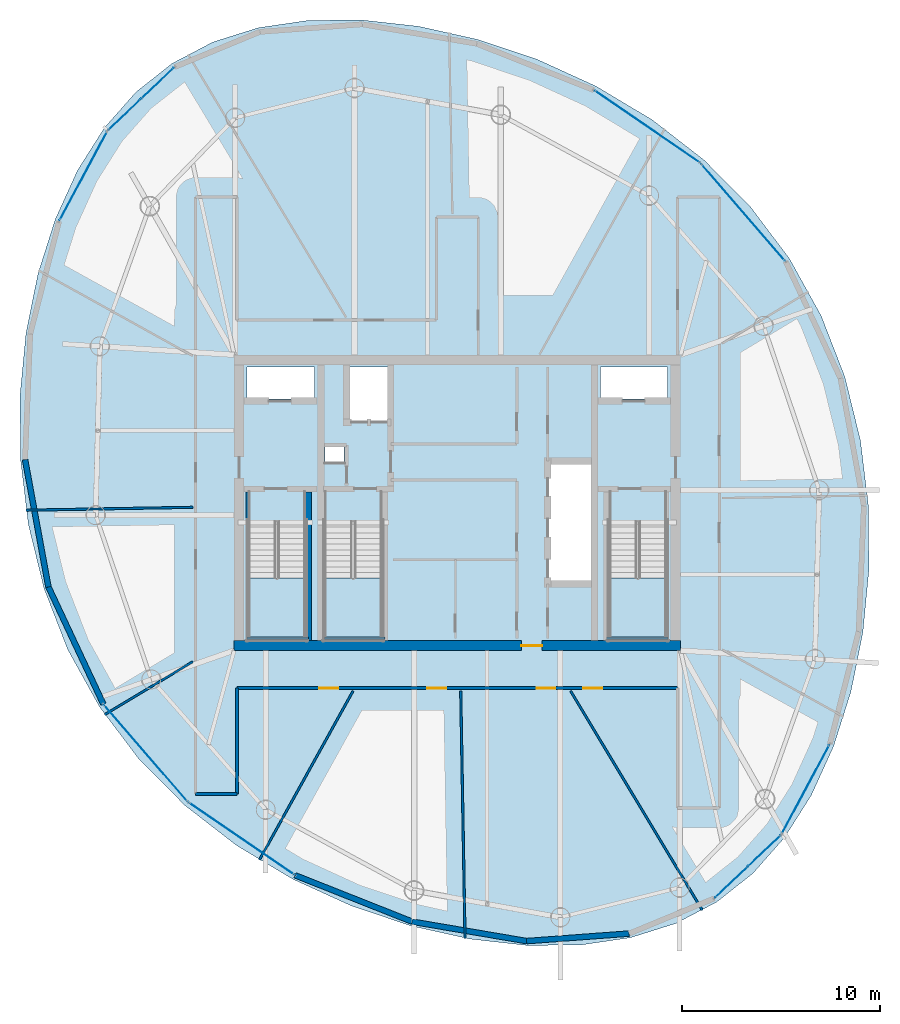
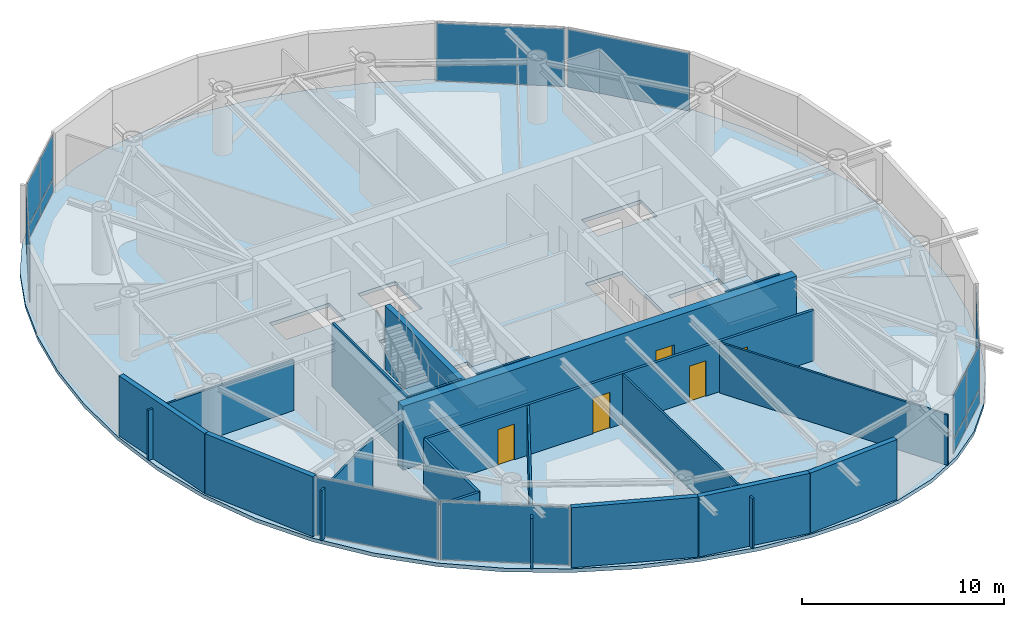
# One storey, part 10 of 16: 19 walls, 14 plates, 5 doors, 4 slabs, 5 openings, 11 elements without a shape of their own.
"""IFC4 building model written with IfcOpenShell, lengths in metres."""

from ifc_helpers import new_model, si_unit, direction, frame, frame_2d, origin, origin_2d, place, context, subcontext, project, spatial, polyline, rectangle, outline, extrude, material, layer, layer_set, type_object, element, fill, aggregate, save


model = new_model("IFC4")

# Units and contexts
model_context = context("Model", 3, precision=1e-05, world=origin(), true_north=direction((0.0, 1.0)))
body_context = subcontext(model_context, "Body", "Model", "MODEL_VIEW")
ifc_project = project(units=[si_unit("LENGTHUNIT", "METRE"), si_unit("AREAUNIT", "SQUARE_METRE"), si_unit("VOLUMEUNIT", "CUBIC_METRE"), si_unit("PLANEANGLEUNIT", "RADIAN"), si_unit("MASSUNIT", "GRAM", prefix="KILO")], contexts=[model_context])

# Site, building, storey
site_placement = place(None, origin())
site = spatial("IfcSite", under=ifc_project, at=site_placement, CompositionType="ELEMENT")
building_placement = place(site_placement, origin())
building = spatial("IfcBuilding", under=site, at=building_placement, Name="Bramvorn Convention Spire", CompositionType="ELEMENT")
storey_placement = place(building_placement, frame((0.0, 0.0, 261.300048828125)))
storey = spatial("IfcBuildingStorey", under=building, at=storey_placement, Name="L66", CompositionType="ELEMENT", Elevation=261.300048828125)

# Curtain wall, plates
ifc_material_1 = material(Name="Anodised Bronze Unitised Curtain Wall", Category="aluminium")
ifc_layer_1 = layer(ifc_material_1, 0.179931640625)
ifc_layer_set_1 = layer_set([ifc_layer_1], Name="Anodised Bronze Unitised Curtain Wall - CW-OFF-FRIT")
curtain_wall_type = type_object("IfcCurtainWallType", Name="CW-OFF-FRIT", PredefinedType="USERDEFINED", material=ifc_layer_set_1)
curtain_wall_1_placement = place(storey_placement, origin())
curtain_wall_1 = element("IfcCurtainWall", 1, at=curtain_wall_1_placement, inside=storey, type_object=curtain_wall_type, Name="L66 fritted glass curtain wall 01", ObjectType="UNITISED CURTAIN WALL", PredefinedType="USERDEFINED")
ifc_material_2 = material(Name="Laminated Low-E Glass (Triple IGU High-VLT Low-Iron 22%)", Category="glass")
ifc_layer_2 = layer(ifc_material_2, 0.0419921875)
ifc_layer_set_2 = layer_set([ifc_layer_2], Name="Laminated Low-E Glass (Triple IGU High-VLT Low-Iron 22%) - PNL-IGU-4")
plate_type = type_object("IfcPlateType", Name="PNL-IGU-4", PredefinedType="CURTAIN_PANEL", material=ifc_layer_set_2)
plate_1_placement = place(storey_placement, frame((53.46875, 8.448974609375, 0.059814453125), z_axis=(0.0, 0.0, 1.0), x_axis=(-0.72482278531, -0.688935359736, 0.0)))
plate_1 = element("IfcPlate", 2, at=plate_1_placement, type_object=plate_type, Name="CW3 panel 1.1", PredefinedType="CURTAIN_PANEL", context=body_context, shape_type="SweptSolid", body=[
    extrude(rectangle(XDim=2.2353515625, YDim=0.028076171875, at=origin_2d()), origin(), (0.0, 0.0, 1.0), 0.81005859375),
])
plate_2_placement = place(storey_placement, frame((53.46875, 8.448974609375, 0.93017578125), z_axis=(0.0, 0.0, 1.0), x_axis=(-0.72482278531, -0.688935359736, 0.0)))
plate_2 = element("IfcPlate", 3, at=plate_2_placement, type_object=plate_type, Name="CW3 panel 1.2", PredefinedType="CURTAIN_PANEL", context=body_context, shape_type="SweptSolid", body=[
    extrude(rectangle(XDim=2.2353515625, YDim=0.028076171875, at=origin_2d()), origin(), (0.0, 0.0, 1.0), 2.635009765625),
])
plate_3_placement = place(storey_placement, frame((51.80517578125, 6.86767578125, 0.059814453125), z_axis=(0.0, 0.0, 1.0), x_axis=(-0.72482278531, -0.688935359736, 0.0)))
plate_3 = element("IfcPlate", 4, at=plate_3_placement, type_object=plate_type, Name="CW3 panel 2.1", PredefinedType="CURTAIN_PANEL", context=body_context, shape_type="SweptSolid", body=[
    extrude(rectangle(XDim=2.2353515625, YDim=0.028076171875, at=origin_2d()), origin(), (0.0, 0.0, 1.0), 0.81005859375),
])
plate_4_placement = place(storey_placement, frame((51.80517578125, 6.86767578125, 0.93017578125), z_axis=(0.0, 0.0, 1.0), x_axis=(-0.72482278531, -0.688935359736, 0.0)))
plate_4 = element("IfcPlate", 5, at=plate_4_placement, type_object=plate_type, Name="CW3 panel 2.2", PredefinedType="CURTAIN_PANEL", context=body_context, shape_type="SweptSolid", body=[
    extrude(rectangle(XDim=2.2353515625, YDim=0.028076171875, at=origin_2d()), origin(), (0.0, 0.0, 1.0), 2.635009765625),
])
aggregate(curtain_wall_1, [plate_1, plate_2, plate_3, plate_4])

# Curtain wall, plate
curtain_wall_2_placement = place(storey_placement, origin())
curtain_wall_2 = element("IfcCurtainWall", 6, at=curtain_wall_2_placement, inside=storey, type_object=curtain_wall_type, Name="L66 fritted glass curtain wall 02", ObjectType="UNITISED CURTAIN WALL", PredefinedType="USERDEFINED")
plate_5_placement = place(storey_placement, frame((55.5458984375, 11.542724609375, 0.06005859375), z_axis=(0.0, 0.0, 1.0), x_axis=(-0.472465183449, -0.88134933507, 0.0)))
plate_5 = element("IfcPlate", 7, at=plate_5_placement, type_object=plate_type, Name="CW3 panel 1.1", PredefinedType="CURTAIN_PANEL", context=body_context, shape_type="SweptSolid", body=[
    extrude(rectangle(XDim=5.059326171875, YDim=0.028076171875, at=origin_2d()), origin(), (0.0, 0.0, 1.0), 3.5048828125),
])
aggregate(curtain_wall_2, [plate_5])

curtain_wall_3_placement = place(storey_placement, origin())
curtain_wall_3 = element("IfcCurtainWall", 8, at=curtain_wall_3_placement, inside=storey, type_object=curtain_wall_type, Name="L66 fritted glass curtain wall 07", ObjectType="UNITISED CURTAIN WALL", PredefinedType="USERDEFINED")
plate_6_placement = place(storey_placement, frame((52.40185546875, 40.637939453125, 0.06005859375), z_axis=(0.0, 0.0, 1.0), x_axis=(0.654483042288, -0.756076680871, 0.0)))
plate_6 = element("IfcPlate", 9, at=plate_6_placement, type_object=plate_type, Name="CW3 panel 1.1", PredefinedType="CURTAIN_PANEL", context=body_context, shape_type="SweptSolid", body=[
    extrude(rectangle(XDim=6.406982421875, YDim=0.028076171875, at=origin_2d()), origin(), (0.0, 0.0, 1.0), 3.5048828125),
])
aggregate(curtain_wall_3, [plate_6])

curtain_wall_4_placement = place(storey_placement, origin())
curtain_wall_4 = element("IfcCurtainWall", 10, at=curtain_wall_4_placement, inside=storey, type_object=curtain_wall_type, Name="L66 fritted glass curtain wall 08", ObjectType="UNITISED CURTAIN WALL", PredefinedType="USERDEFINED")
plate_7_placement = place(storey_placement, frame((47.5732421875, 44.94873046875, 0.06005859375), z_axis=(0.0, 0.0, 1.0), x_axis=(0.825191482707, -0.564853093174, 0.0)))
plate_7 = element("IfcPlate", 11, at=plate_7_placement, type_object=plate_type, Name="CW3 panel 1.1", PredefinedType="CURTAIN_PANEL", context=body_context, shape_type="SweptSolid", body=[
    extrude(rectangle(XDim=6.406005859375, YDim=0.028076171875, at=origin_2d()), origin(), (0.0, 0.0, 1.0), 3.5048828125),
])
aggregate(curtain_wall_4, [plate_7])

# Curtain wall, plates
curtain_wall_5_placement = place(storey_placement, origin())
curtain_wall_5 = element("IfcCurtainWall", 12, at=curtain_wall_5_placement, inside=storey, type_object=curtain_wall_type, Name="L66 fritted glass curtain wall 13", ObjectType="UNITISED CURTAIN WALL", PredefinedType="USERDEFINED")
plate_8_placement = place(storey_placement, frame((21.22412109375, 45.563720703125, 0.059814453125), z_axis=(0.0, 0.0, 1.0), x_axis=(0.72482278531, 0.688935359736, 0.0)))
plate_8 = element("IfcPlate", 13, at=plate_8_placement, type_object=plate_type, Name="CW3 panel 1.1", PredefinedType="CURTAIN_PANEL", context=body_context, shape_type="SweptSolid", body=[
    extrude(rectangle(XDim=2.2353515625, YDim=0.028076171875, at=origin_2d()), origin(), (0.0, 0.0, 1.0), 0.81005859375),
])
plate_9_placement = place(storey_placement, frame((21.22412109375, 45.563720703125, 0.93017578125), z_axis=(0.0, 0.0, 1.0), x_axis=(0.72482278531, 0.688935359736, 0.0)))
plate_9 = element("IfcPlate", 14, at=plate_9_placement, type_object=plate_type, Name="CW3 panel 1.2", PredefinedType="CURTAIN_PANEL", context=body_context, shape_type="SweptSolid", body=[
    extrude(rectangle(XDim=2.2353515625, YDim=0.028076171875, at=origin_2d()), origin(), (0.0, 0.0, 1.0), 2.635009765625),
])
plate_10_placement = place(storey_placement, frame((22.8876953125, 47.14501953125, 0.059814453125), z_axis=(0.0, 0.0, 1.0), x_axis=(0.72482278531, 0.688935359736, 0.0)))
plate_10 = element("IfcPlate", 15, at=plate_10_placement, type_object=plate_type, Name="CW3 panel 2.1", PredefinedType="CURTAIN_PANEL", context=body_context, shape_type="SweptSolid", body=[
    extrude(rectangle(XDim=2.2353515625, YDim=0.028076171875, at=origin_2d()), origin(), (0.0, 0.0, 1.0), 0.81005859375),
])
plate_11_placement = place(storey_placement, frame((22.8876953125, 47.14501953125, 0.93017578125), z_axis=(0.0, 0.0, 1.0), x_axis=(0.72482278531, 0.688935359736, 0.0)))
plate_11 = element("IfcPlate", 16, at=plate_11_placement, type_object=plate_type, Name="CW3 panel 2.2", PredefinedType="CURTAIN_PANEL", context=body_context, shape_type="SweptSolid", body=[
    extrude(rectangle(XDim=2.2353515625, YDim=0.028076171875, at=origin_2d()), origin(), (0.0, 0.0, 1.0), 2.635009765625),
])
aggregate(curtain_wall_5, [plate_8, plate_9, plate_10, plate_11])

# Curtain wall, plate
curtain_wall_6_placement = place(storey_placement, origin())
curtain_wall_6 = element("IfcCurtainWall", 17, at=curtain_wall_6_placement, inside=storey, type_object=curtain_wall_type, Name="L66 fritted glass curtain wall 14", ObjectType="UNITISED CURTAIN WALL", PredefinedType="USERDEFINED")
plate_12_placement = place(storey_placement, frame((19.14697265625, 42.469970703125, 0.06005859375), z_axis=(0.0, 0.0, 1.0), x_axis=(0.472465183449, 0.88134933507, 0.0)))
plate_12 = element("IfcPlate", 18, at=plate_12_placement, type_object=plate_type, Name="CW3 panel 1.1", PredefinedType="CURTAIN_PANEL", context=body_context, shape_type="SweptSolid", body=[
    extrude(rectangle(XDim=5.059326171875, YDim=0.028076171875, at=origin_2d()), origin(), (0.0, 0.0, 1.0), 3.5048828125),
])
aggregate(curtain_wall_6, [plate_12])

curtain_wall_7_placement = place(storey_placement, origin())
curtain_wall_7 = element("IfcCurtainWall", 19, at=curtain_wall_7_placement, inside=storey, type_object=curtain_wall_type, Name="L66 fritted glass curtain wall 19", ObjectType="UNITISED CURTAIN WALL", PredefinedType="USERDEFINED")
plate_13_placement = place(storey_placement, frame((22.291015625, 13.374755859375, 0.06005859375), z_axis=(0.0, 0.0, 1.0), x_axis=(-0.654499381879, 0.756062536514, 0.0)))
plate_13 = element("IfcPlate", 20, at=plate_13_placement, type_object=plate_type, Name="CW3 panel 1.1", PredefinedType="CURTAIN_PANEL", context=body_context, shape_type="SweptSolid", body=[
    extrude(rectangle(XDim=6.406982421875, YDim=0.028076171875, at=origin_2d()), origin(), (0.0, 0.0, 1.0), 3.5048828125),
])
aggregate(curtain_wall_7, [plate_13])

curtain_wall_8_placement = place(storey_placement, origin())
curtain_wall_8 = element("IfcCurtainWall", 21, at=curtain_wall_8_placement, inside=storey, type_object=curtain_wall_type, Name="L66 fritted glass curtain wall 20", ObjectType="UNITISED CURTAIN WALL", PredefinedType="USERDEFINED")
plate_14_placement = place(storey_placement, frame((27.11962890625, 9.064208984375, 0.06005859375), z_axis=(0.0, 0.0, 1.0), x_axis=(-0.82518434045, 0.564863527126, 0.0)))
plate_14 = element("IfcPlate", 22, at=plate_14_placement, type_object=plate_type, Name="CW3 panel 1.1", PredefinedType="CURTAIN_PANEL", context=body_context, shape_type="SweptSolid", body=[
    extrude(rectangle(XDim=6.40625, YDim=0.028076171875, at=origin_2d()), origin(), (0.0, 0.0, 1.0), 3.5048828125),
])
aggregate(curtain_wall_8, [plate_14])

# Stair, slab
ifc_material_3 = material(Name="Concrete C40/50 Precast Stair", Category="concrete")
stair_type = type_object("IfcStairType", Name="ST-TOWER-1550", PredefinedType="HALF_TURN_STAIR", material=ifc_material_3)
stair_1_placement = place(storey_placement, origin())
stair_1 = element("IfcStair", 23, at=stair_1_placement, inside=storey, type_object=stair_type, Name="L66 Protected Exit Stair ST1", PredefinedType="HALF_TURN_STAIR")
ifc_material_4 = material(Name="Concrete C40/50 Stair Landing", Category="concrete")
ifc_layer_3 = layer(ifc_material_4, 0.219970703125)
ifc_layer_set_3 = layer_set([ifc_layer_3], Name="Concrete C40/50 Stair Landing - SLB-STAIR-LANDING")
slab_type_1 = type_object("IfcSlabType", Name="SLB-STAIR-LANDING", PredefinedType="LANDING", material=ifc_layer_set_3)
slab_1_placement = place(storey_placement, frame((0.0, 0.0, 1.724853515625)))
slab_1 = element("IfcSlab", 24, at=slab_1_placement, type_object=slab_type_1, Name="ST1 landing 1", PredefinedType="LANDING", context=body_context, shape_type="SweptSolid", body=[
    extrude(outline(polyline([(27.449951171875, 22.199951171875), (27.449951171875, 19.10009765625), (30.35009765625, 19.10009765625), (30.35009765625, 22.199951171875), (27.449951171875, 22.199951171875)])), origin(), (0.0, 0.0, 1.0), 0.2001953125),
])
aggregate(stair_1, [slab_1])

stair_2_placement = place(storey_placement, origin())
stair_2 = element("IfcStair", 25, at=stair_2_placement, inside=storey, type_object=stair_type, Name="L66 Protected Exit Stair ST2", PredefinedType="HALF_TURN_STAIR")
slab_2_placement = place(storey_placement, frame((0.0, 0.0, 1.724853515625)))
slab_2 = element("IfcSlab", 26, at=slab_2_placement, type_object=slab_type_1, Name="ST2 landing 1", PredefinedType="LANDING", context=body_context, shape_type="SweptSolid", body=[
    extrude(outline(polyline([(45.64990234375, 22.199951171875), (45.64990234375, 19.10009765625), (48.550048828125, 19.10009765625), (48.550048828125, 22.199951171875), (45.64990234375, 22.199951171875)])), origin(), (0.0, 0.0, 1.0), 0.2001953125),
])
aggregate(stair_2, [slab_2])

stair_3_placement = place(storey_placement, origin())
stair_3 = element("IfcStair", 27, at=stair_3_placement, inside=storey, type_object=stair_type, Name="L66 Protected Exit Stair ST3", PredefinedType="HALF_TURN_STAIR")
slab_3_placement = place(storey_placement, frame((0.0, 0.0, 1.724853515625)))
slab_3 = element("IfcSlab", 28, at=slab_3_placement, type_object=slab_type_1, Name="ST3 landing 1", PredefinedType="LANDING", context=body_context, shape_type="SweptSolid", body=[
    extrude(outline(polyline([(31.300048828125, 22.199951171875), (31.300048828125, 19.10009765625), (34.199951171875, 19.10009765625), (34.199951171875, 22.199951171875), (31.300048828125, 22.199951171875)])), origin(), (0.0, 0.0, 1.0), 0.2001953125),
])
aggregate(stair_3, [slab_3])

# Slab
ifc_material_5 = material(Name="Concrete C40/50", Category="concrete")
ifc_layer_4 = layer(ifc_material_5, 0.22509765625)
ifc_layer_set_4 = layer_set([ifc_layer_4], Name="Concrete C40/50 - SLB-Z4-225")
slab_type_2 = type_object("IfcSlabType", Name="SLB-Z4-225", PredefinedType="FLOOR", material=ifc_layer_set_4)
slab_4_placement = place(storey_placement, frame((0.0, 0.0, -0.22509765625)))
element("IfcSlab", 29, at=slab_4_placement, inside=storey, type_object=slab_type_2, Name="L66 tower floor slab", PredefinedType="FLOOR", context=body_context, shape_type="SweptSolid", body=[
    extrude(outline(polyline([(51.0712890625, 5.871826171875), (52.893310546875, 7.312255859375), (54.482666015625, 9.111083984375), (55.840087890625, 11.256103515625), (56.961669921875, 13.722900390625), (57.834716796875, 16.473388671875), (58.4375, 19.456298828125), (58.7412109375, 22.6083984375), (58.7119140625, 25.857421875), (58.31689453125, 29.126220703125), (57.530029296875, 32.3369140625), (56.336181640625, 35.41650390625), (54.737060546875, 38.300048828125), (52.75341796875, 40.933837890625), (50.425537109375, 43.277099609375), (47.8125, 45.3017578125), (44.98681640625, 46.991943359375), (42.03076171875, 48.340087890625), (39.027587890625, 49.344970703125), (36.057373046875, 50.007568359375), (33.189453125, 50.328857421875), (30.479736328125, 50.3076171875), (27.968017578125, 49.939697265625), (25.67822265625, 49.219482421875), (23.62158203125, 48.140869140625), (21.799560546875, 46.70068359375), (20.210205078125, 44.90185546875), (18.852783203125, 42.7568359375), (17.731201171875, 40.2900390625), (16.858154296875, 37.53955078125), (16.25537109375, 34.556396484375), (15.951904296875, 31.404296875), (15.98095703125, 28.1552734375), (16.375732421875, 24.88671875), (17.162841796875, 21.67578125), (18.356689453125, 18.59619140625), (19.955810546875, 15.712890625), (21.939453125, 13.0791015625), (24.267333984375, 10.73583984375), (26.88037109375, 8.7109375), (29.705810546875, 7.020751953125), (32.662109375, 5.672607421875), (35.665283203125, 4.667724609375), (38.635498046875, 4.005126953125), (41.50341796875, 3.68408203125), (44.212890625, 3.705322265625), (46.724853515625, 4.072998046875), (49.014404296875, 4.793212890625), (51.0712890625, 5.871826171875)]), holes=[polyline([(27.449951171875, 25.050048828125), (27.449951171875, 19.10009765625), (30.35009765625, 19.10009765625), (30.35009765625, 25.050048828125), (27.449951171875, 25.050048828125)]), polyline([(45.64990234375, 25.050048828125), (45.64990234375, 19.10009765625), (48.550048828125, 19.10009765625), (48.550048828125, 25.050048828125), (45.64990234375, 25.050048828125)]), polyline([(31.300048828125, 25.050048828125), (31.300048828125, 19.10009765625), (34.199951171875, 19.10009765625), (34.199951171875, 25.050048828125), (31.300048828125, 25.050048828125)]), polyline([(27.39990234375, 31.219970703125), (30.800048828125, 31.219970703125), (30.800048828125, 32.85009765625), (27.39990234375, 32.85009765625), (27.39990234375, 31.219970703125)]), polyline([(45.199951171875, 31.219970703125), (48.60009765625, 31.219970703125), (48.60009765625, 32.85009765625), (45.199951171875, 32.85009765625), (45.199951171875, 31.219970703125)]), polyline([(32.449951171875, 30.14990234375), (34.56005859375, 30.14990234375), (34.56005859375, 32.85009765625), (32.449951171875, 32.85009765625), (32.449951171875, 30.14990234375)]), polyline([(42.6201171875, 22.0), (44.75, 22.0), (44.75, 28.0), (42.6201171875, 28.0), (42.6201171875, 22.0)]), polyline([(31.320068359375, 28.02001953125), (32.280029296875, 28.02001953125), (32.280029296875, 28.820068359375), (31.320068359375, 28.820068359375), (31.320068359375, 28.02001953125)])]), origin(), (0.0, 0.0, 1.0), 0.22509765625),
])

# Wall, opening, door
ifc_material_6 = material(Name="Concrete C50/60", Category="concrete")
ifc_layer_5 = layer(ifc_material_6, 0.5)
ifc_layer_set_5 = layer_set([ifc_layer_5], Name="Concrete C50/60 - WL-CORE-500")
wall_type_1 = type_object("IfcWallType", Name="WL-CORE-500", PredefinedType="SHEAR", material=ifc_layer_set_5)
wall_1_placement = place(storey_placement, frame((26.75, 18.800048828125, 0.0), z_axis=(0.0, 0.0, 1.0), x_axis=(1.0, 0.0, 0.0)))
wall_1 = element("IfcWall", 30, at=wall_1_placement, inside=storey, type_object=wall_type_1, Name="L66 South RC core shear wall", PredefinedType="SHEAR", context=body_context, shape_type="SweptSolid", body=[
    extrude(rectangle(XDim=22.5, YDim=0.5, at=frame_2d((11.25, 0.0))), origin(), (0.0, 0.0, 1.0), 3.849853515625),
])
opening_1_placement = place(wall_1_placement, frame((14.469970703125, 0.0, 0.0)))
opening_1 = element("IfcOpeningElement", 31, at=opening_1_placement, cuts=wall_1, Name="Opening DL-105", PredefinedType="OPENING", context=body_context, shape_type="SweptSolid", body=[
    extrude(rectangle(XDim=1.050048828125, YDim=2.14990234375, at=frame_2d((0.52490234375, 1.074951171875))), frame((0.0, 0.260009765625, 0.0), z_axis=(0.0, -1.0, 0.0), x_axis=(1.0, 0.0, 0.0)), (0.0, 0.0, 1.0), 0.52001953125),
])
ifc_material_7 = material(Name="Smoke-Sealed Fire Lobby Timber-Core Door", Category="wood")
door_type_1 = type_object("IfcDoorType", Name="DR-LOBBY-1050", OperationType="NOTDEFINED", PredefinedType="DOOR", material=ifc_material_7)
door_1_placement = place(opening_1_placement, origin())
door_1 = element("IfcDoor", 32, at=door_1_placement, inside=storey, type_object=door_type_1, Name="L66 South Lift Lobby fire door", OperationType="SINGLE_SWING_RIGHT", OverallHeight=2.14990234375, OverallWidth=1.050048828125, PredefinedType="DOOR", context=body_context, shape_type="SweptSolid", body=[
    extrude(rectangle(XDim=1.050048828125, YDim=2.14990234375, at=frame_2d((0.52490234375, 1.074951171875))), frame((0.0, 0.02490234375, 0.0), z_axis=(0.0, -1.0, 0.0), x_axis=(1.0, 0.0, 0.0)), (0.0, 0.0, 1.0), 0.050048828125),
])
fill(opening_1, door_1)

# Walls
ifc_material_8 = material(Name="Precast Concrete C40/50 with Bronze Terracotta Rainscreen", Category="masonry")
ifc_layer_6 = layer(ifc_material_8, 0.300048828125)
ifc_layer_set_6 = layer_set([ifc_layer_6], Name="Precast Concrete C40/50 with Bronze Terracotta Rainscreen - WL-EXT-BRONZE-300")
wall_type_2 = type_object("IfcWallType", Name="WL-EXT-BRONZE-300", PredefinedType="SOLIDWALL", material=ifc_layer_set_6)
wall_2_placement = place(storey_placement, frame((17.384521484375, 21.751953125, 0.0), z_axis=(0.0, 0.0, 1.0), x_axis=(-0.180429210123, 0.983587972748, 0.0)))
element("IfcWall", 33, at=wall_2_placement, inside=storey, type_object=wall_type_2, Name="L66 expressed bronze Gothic lancet pier wall 17", PredefinedType="SOLIDWALL", context=body_context, shape_type="SweptSolid", body=[
    extrude(rectangle(XDim=6.526123046875, YDim=0.280029296875, at=frame_2d((3.26318359375, 0.0))), origin(), (0.0, 0.0, 1.0), 3.625),
])
wall_3_placement = place(storey_placement, frame((20.155029296875, 15.84228515625, 0.0), z_axis=(0.0, 0.0, 1.0), x_axis=(-0.424477959748, 0.905438270501, 0.0)))
element("IfcWall", 34, at=wall_3_placement, inside=storey, type_object=wall_type_2, Name="L66 expressed bronze Gothic lancet pier wall 18", PredefinedType="SOLIDWALL", context=body_context, shape_type="SweptSolid", body=[
    extrude(rectangle(XDim=6.52685546875, YDim=0.280029296875, at=frame_2d((3.263427734375, 0.0))), origin(), (0.0, 0.0, 1.0), 3.625),
])
wall_4_placement = place(storey_placement, frame((35.7109375, 4.883056640625, 0.0), z_axis=(0.0, 0.0, 1.0), x_axis=(-0.929644948575, 0.368456604758, 0.0)))
element("IfcWall", 35, at=wall_4_placement, inside=storey, type_object=wall_type_2, Name="L66 expressed bronze Gothic lancet pier wall 21", PredefinedType="SOLIDWALL", context=body_context, shape_type="SweptSolid", body=[
    extrude(rectangle(XDim=6.344970703125, YDim=0.280029296875, at=frame_2d((3.17236328125, 0.0))), origin(), (0.0, 0.0, 1.0), 3.625),
])
wall_5_placement = place(storey_placement, frame((41.48828125, 3.9013671875, 0.0), z_axis=(0.0, 0.0, 1.0), x_axis=(-0.985868784633, 0.167519370479, 0.0)))
element("IfcWall", 36, at=wall_5_placement, inside=storey, type_object=wall_type_2, Name="L66 expressed bronze Gothic lancet pier wall 22", PredefinedType="SOLIDWALL", context=body_context, shape_type="SweptSolid", body=[
    extrude(rectangle(XDim=5.860107421875, YDim=0.280029296875, at=frame_2d((2.93017578125, 0.0))), origin(), (0.0, 0.0, 1.0), 3.625),
])
wall_6_placement = place(storey_placement, frame((46.653564453125, 4.2802734375, 0.0), z_axis=(0.0, 0.0, 1.0), x_axis=(-0.99732023432, -0.073159758173, 0.0)))
element("IfcWall", 37, at=wall_6_placement, inside=storey, type_object=wall_type_2, Name="L66 expressed bronze Gothic lancet pier wall 23", PredefinedType="SOLIDWALL", context=body_context, shape_type="SweptSolid", body=[
    extrude(rectangle(XDim=5.17919921875, YDim=0.280029296875, at=frame_2d((2.589599609375, 0.0))), origin(), (0.0, 0.0, 1.0), 3.625),
])
ifc_material_9 = material(Name="Lightweight En-Suite & Wet-Wall Partition", Category="gypsum")
ifc_layer_7 = layer(ifc_material_9, 0.110107421875)
ifc_layer_set_7 = layer_set([ifc_layer_7], Name="Lightweight En-Suite & Wet-Wall Partition - WL-PART-110")
wall_type_3 = type_object("IfcWallType", Name="WL-PART-110", PredefinedType="PARTITIONING", material=ifc_layer_set_7)
wall_7_placement = place(storey_placement, frame((24.659912109375, 25.76708984375, 0.0), z_axis=(0.0, 0.0, 1.0), x_axis=(-0.999848137376, -0.017427053289, 0.0)))
element("IfcWall", 38, at=wall_7_placement, inside=storey, type_object=wall_type_3, Name="L66 Tenant suite partition 7", PredefinedType="PARTITIONING", context=body_context, shape_type="SweptSolid", body=[
    extrude(rectangle(XDim=8.405517578125, YDim=0.110107421875, at=frame_2d((4.20263671875, 0.0))), origin(), (0.0, 0.0, 1.0), 3.0400390625),
])
wall_8_placement = place(storey_placement, frame((24.659912109375, 17.984619140625, 0.0), z_axis=(0.0, 0.0, 1.0), x_axis=(-0.857168687415, -0.515035767026, 0.0)))
element("IfcWall", 39, at=wall_8_placement, inside=storey, type_object=wall_type_3, Name="L66 Tenant suite partition 8", PredefinedType="PARTITIONING", context=body_context, shape_type="SweptSolid", body=[
    extrude(rectangle(XDim=5.184814453125, YDim=0.110107421875, at=frame_2d((2.59228515625, 0.0))), origin(), (0.0, 0.0, 1.0), 3.0400390625),
])
wall_9_placement = place(storey_placement, frame((32.739501953125, 16.510009765625, 0.0), z_axis=(0.0, 0.0, 1.0), x_axis=(-0.484810336768, -0.874619309965, 0.0)))
element("IfcWall", 40, at=wall_9_placement, inside=storey, type_object=wall_type_3, Name="L66 Tenant suite partition 9", PredefinedType="PARTITIONING", context=body_context, shape_type="SweptSolid", body=[
    extrude(rectangle(XDim=9.7373046875, YDim=0.110107421875, at=frame_2d((4.86865234375, 0.0))), origin(), (0.0, 0.0, 1.0), 3.0400390625),
])
wall_10_placement = place(storey_placement, frame((38.16552734375, 16.510009765625, 0.0), z_axis=(0.0, 0.0, 1.0), x_axis=(0.017468427639, -0.999847415377, 0.0)))
element("IfcWall", 41, at=wall_10_placement, inside=storey, type_object=wall_type_3, Name="L66 Tenant suite partition 10", PredefinedType="PARTITIONING", context=body_context, shape_type="SweptSolid", body=[
    extrude(rectangle(XDim=12.480712890625, YDim=0.110107421875, at=frame_2d((6.240234375, 0.0))), origin(), (0.0, 0.0, 1.0), 3.0400390625),
])
wall_11_placement = place(storey_placement, frame((43.7021484375, 16.510009765625, 0.0), z_axis=(0.0, 0.0, 1.0), x_axis=(0.515038568359, -0.857167004208, 0.0)))
element("IfcWall", 42, at=wall_11_placement, inside=storey, type_object=wall_type_3, Name="L66 Tenant suite partition 11", PredefinedType="PARTITIONING", context=body_context, shape_type="SweptSolid", body=[
    extrude(rectangle(XDim=12.895263671875, YDim=0.110107421875, at=frame_2d((6.44775390625, 0.0))), origin(), (0.0, 0.0, 1.0), 3.0400390625),
])

# Wall, openings, doors
ifc_material_10 = material(Name="Acoustic Metal-Stud Tenant/Corridor Partition", Category="gypsum")
ifc_layer_8 = layer(ifc_material_10, 0.14990234375)
ifc_layer_set_8 = layer_set([ifc_layer_8], Name="Acoustic Metal-Stud Tenant/Corridor Partition - WL-PART-150")
wall_type_4 = type_object("IfcWallType", Name="WL-PART-150", PredefinedType="PARTITIONING", material=ifc_layer_set_8)
wall_12_placement = place(storey_placement, frame((26.89990234375, 16.64990234375, 0.0), z_axis=(0.0, 0.0, 1.0), x_axis=(1.0, 0.0, 0.0)))
wall_12 = element("IfcWall", 43, at=wall_12_placement, inside=storey, type_object=wall_type_4, Name="L66 South H-crossbar wall", PredefinedType="PARTITIONING", context=body_context, shape_type="SweptSolid", body=[
    extrude(rectangle(XDim=22.2001953125, YDim=0.14990234375, at=frame_2d((11.10009765625, 0.0))), origin(), (0.0, 0.0, 1.0), 3.0400390625),
])
opening_2_placement = place(wall_12_placement, frame((4.135498046875, 0.0, 0.0)))
opening_2 = element("IfcOpeningElement", 44, at=opening_2_placement, cuts=wall_12, Name="Opening DH-095", PredefinedType="OPENING", context=body_context, shape_type="SweptSolid", body=[
    extrude(rectangle(XDim=0.949951171875, YDim=2.14990234375, at=frame_2d((0.47509765625, 1.074951171875))), frame((0.0, 0.0849609375, 0.0), z_axis=(0.0, -1.0, 0.0), x_axis=(1.0, 0.0, 0.0)), (0.0, 0.0, 1.0), 0.169921875),
])
opening_3_placement = place(wall_12_placement, frame((9.583984375, 0.0, 0.0)))
opening_3 = element("IfcOpeningElement", 45, at=opening_3_placement, cuts=wall_12, Name="Opening DH-095", PredefinedType="OPENING", context=body_context, shape_type="SweptSolid", body=[
    extrude(rectangle(XDim=0.949951171875, YDim=2.14990234375, at=frame_2d((0.47509765625, 1.074951171875))), frame((0.0, 0.0849609375, 0.0), z_axis=(0.0, -1.0, 0.0), x_axis=(1.0, 0.0, 0.0)), (0.0, 0.0, 1.0), 0.169921875),
])
opening_4_placement = place(wall_12_placement, frame((15.085693359375, 0.0, 0.0)))
opening_4 = element("IfcOpeningElement", 46, at=opening_4_placement, cuts=wall_12, Name="Opening DH-095", PredefinedType="OPENING", context=body_context, shape_type="SweptSolid", body=[
    extrude(rectangle(XDim=0.949951171875, YDim=2.14990234375, at=frame_2d((0.47509765625, 1.074951171875))), frame((0.0, 0.0849609375, 0.0), z_axis=(0.0, -1.0, 0.0), x_axis=(1.0, 0.0, 0.0)), (0.0, 0.0, 1.0), 0.169921875),
])
opening_5_placement = place(wall_12_placement, frame((17.4453125, 0.0, 0.0)))
opening_5 = element("IfcOpeningElement", 47, at=opening_5_placement, cuts=wall_12, Name="Opening DH-095", PredefinedType="OPENING", context=body_context, shape_type="SweptSolid", body=[
    extrude(rectangle(XDim=0.949951171875, YDim=2.14990234375, at=frame_2d((0.47509765625, 1.074951171875))), frame((0.0, 0.0849609375, 0.0), z_axis=(0.0, -1.0, 0.0), x_axis=(1.0, 0.0, 0.0)), (0.0, 0.0, 1.0), 0.169921875),
])
ifc_material_11 = material(Name="Solid-Core Acoustic Guestroom Entry Door", Category="wood")
door_type_2 = type_object("IfcDoorType", Name="DR-HOTEL-950", OperationType="NOTDEFINED", PredefinedType="DOOR", material=ifc_material_11)
door_2_placement = place(opening_2_placement, origin())
door_2 = element("IfcDoor", 48, at=door_2_placement, inside=storey, type_object=door_type_2, Name="L66 Deposition Meeting Room 2 8 door", OperationType="SINGLE_SWING_LEFT", OverallHeight=2.14990234375, OverallWidth=0.949951171875, PredefinedType="DOOR", context=body_context, shape_type="SweptSolid", body=[
    extrude(rectangle(XDim=0.949951171875, YDim=2.14990234375, at=frame_2d((0.47509765625, 1.074951171875))), frame((0.0, 0.02490234375, 0.0), z_axis=(0.0, -1.0, 0.0), x_axis=(1.0, 0.0, 0.0)), (0.0, 0.0, 1.0), 0.050048828125),
])
fill(opening_2, door_2)
door_3_placement = place(opening_3_placement, origin())
door_3 = element("IfcDoor", 49, at=door_3_placement, inside=storey, type_object=door_type_2, Name="L66 Case File Store 9 door", OperationType="SINGLE_SWING_RIGHT", OverallHeight=2.14990234375, OverallWidth=0.949951171875, PredefinedType="DOOR", context=body_context, shape_type="SweptSolid", body=[
    extrude(rectangle(XDim=0.949951171875, YDim=2.14990234375, at=frame_2d((0.47509765625, 1.074951171875))), frame((0.0, 0.02490234375, 0.0), z_axis=(0.0, -1.0, 0.0), x_axis=(1.0, 0.0, 0.0)), (0.0, 0.0, 1.0), 0.050048828125),
])
fill(opening_3, door_3)
door_4_placement = place(opening_4_placement, origin())
door_4 = element("IfcDoor", 50, at=door_4_placement, inside=storey, type_object=door_type_2, Name="L66 Chambers Pantry Kitchen 10 door", OperationType="SINGLE_SWING_LEFT", OverallHeight=2.14990234375, OverallWidth=0.949951171875, PredefinedType="DOOR", context=body_context, shape_type="SweptSolid", body=[
    extrude(rectangle(XDim=0.949951171875, YDim=2.14990234375, at=frame_2d((0.47509765625, 1.074951171875))), frame((0.0, 0.02490234375, 0.0), z_axis=(0.0, -1.0, 0.0), x_axis=(1.0, 0.0, 0.0)), (0.0, 0.0, 1.0), 0.050048828125),
])
fill(opening_4, door_4)
door_5_placement = place(opening_5_placement, origin())
door_5 = element("IfcDoor", 51, at=door_5_placement, inside=storey, type_object=door_type_2, Name="L66 Tenant Briefing Room 11 door", OperationType="SINGLE_SWING_LEFT", OverallHeight=2.14990234375, OverallWidth=0.949951171875, PredefinedType="DOOR", context=body_context, shape_type="SweptSolid", body=[
    extrude(rectangle(XDim=0.949951171875, YDim=2.14990234375, at=frame_2d((0.47509765625, 1.074951171875))), frame((0.0, 0.02490234375, 0.0), z_axis=(0.0, -1.0, 0.0), x_axis=(1.0, 0.0, 0.0)), (0.0, 0.0, 1.0), 0.050048828125),
])
fill(opening_5, door_5)

# Walls
wall_13_placement = place(storey_placement, frame((26.89990234375, 11.319580078125, 0.0), z_axis=(0.0, 0.0, 1.0), x_axis=(0.0, 1.0, 0.0)))
element("IfcWall", 52, at=wall_13_placement, inside=storey, type_object=wall_type_4, Name="L66 West gallery SE wall", PredefinedType="PARTITIONING", context=body_context, shape_type="SweptSolid", body=[
    extrude(rectangle(XDim=5.330322265625, YDim=0.14990234375, at=frame_2d((2.6650390625, 0.0))), origin(), (0.0, 0.0, 1.0), 3.0400390625),
])
wall_14_placement = place(storey_placement, frame((24.800048828125, 11.319580078125, 0.0), z_axis=(0.0, 0.0, 1.0), x_axis=(1.0, 0.0, 0.0)))
element("IfcWall", 53, at=wall_14_placement, inside=storey, type_object=wall_type_4, Name="L66 West gallery south end", PredefinedType="PARTITIONING", context=body_context, shape_type="SweptSolid", body=[
    extrude(rectangle(XDim=2.099853515625, YDim=0.14990234375, at=frame_2d((1.0498046875, 0.0))), origin(), (0.0, 0.0, 1.0), 3.0400390625),
])
ifc_layer_9 = layer(ifc_material_6, 0.300048828125)
ifc_layer_set_9 = layer_set([ifc_layer_9], Name="Concrete C50/60 - WL-POD-STAIR-300")
wall_type_5 = type_object("IfcWallType", Name="WL-POD-STAIR-300", PredefinedType="SHEAR", material=ifc_layer_set_9)
wall_15_placement = place(storey_placement, frame((30.489990234375, 19.050048828125, 0.0), z_axis=(0.0, 0.0, 1.0), x_axis=(0.0, 1.0, 0.0)))
element("IfcWall", 54, at=wall_15_placement, inside=storey, type_object=wall_type_5, Name="L66 ST1 east bearing wall", PredefinedType="SHEAR", context=body_context, shape_type="SweptSolid", body=[
    extrude(rectangle(XDim=7.5, YDim=0.300048828125, at=frame_2d((3.75, 0.0))), origin(), (0.0, 0.0, 1.0), 3.849853515625),
])
ifc_layer_10 = layer(ifc_material_6, 0.1201171875)
ifc_layer_set_10 = layer_set([ifc_layer_10], Name="Concrete C50/60 - WL-STAIR-RC-120")
wall_type_6 = type_object("IfcWallType", Name="WL-STAIR-RC-120", PredefinedType="SHEAR", material=ifc_layer_set_10)
wall_16_placement = place(storey_placement, frame((27.39501953125, 19.10009765625, 0.0), z_axis=(0.0, 0.0, 1.0), x_axis=(0.0, 1.0, 0.0)))
element("IfcWall", 55, at=wall_16_placement, inside=storey, type_object=wall_type_6, Name="L66 ST1 west bearing shear wall", PredefinedType="SHEAR", context=body_context, shape_type="SweptSolid", body=[
    extrude(rectangle(XDim=7.449951171875, YDim=0.1201171875, at=frame_2d((3.72509765625, 0.0))), origin(), (0.0, 0.0, 1.0), 3.849853515625),
])
for number, where, z_axis, x_axis, name in (
    (56, (27.39501953125, 19.159912109375, 0.0), (0.0, 0.0, 1.0), (1.0, 0.0, 0.0), "L66 ST1 south bearing shear wall"),
    (57, (45.510009765625, 19.159912109375, 0.0), (0.0, 0.0, 1.0), (1.0, 0.0, 0.0), "L66 ST2 south bearing shear wall"),
):
    element("IfcWall", number, at=place(storey_placement, frame(where, z_axis=z_axis, x_axis=x_axis)), inside=storey, type_object=wall_type_6, Name=name, PredefinedType="SHEAR", context=body_context, shape_type="SweptSolid", body=[
        extrude(rectangle(XDim=3.094970703125, YDim=0.1201171875, at=frame_2d((1.54736328125, 0.0))), origin(), (0.0, 0.0, 1.0), 3.849853515625),
    ])
wall_17_placement = place(storey_placement, frame((31.300048828125, 19.159912109375, 0.0), z_axis=(0.0, 0.0, 1.0), x_axis=(1.0, 0.0, 0.0)))
element("IfcWall", 58, at=wall_17_placement, inside=storey, type_object=wall_type_6, Name="L66 ST3 south bearing shear wall", PredefinedType="SHEAR", context=body_context, shape_type="SweptSolid", body=[
    extrude(rectangle(XDim=3.0400390625, YDim=0.1201171875, at=frame_2d((1.52001953125, 0.0))), origin(), (0.0, 0.0, 1.0), 3.849853515625),
])

save(model, "model.ifc")
